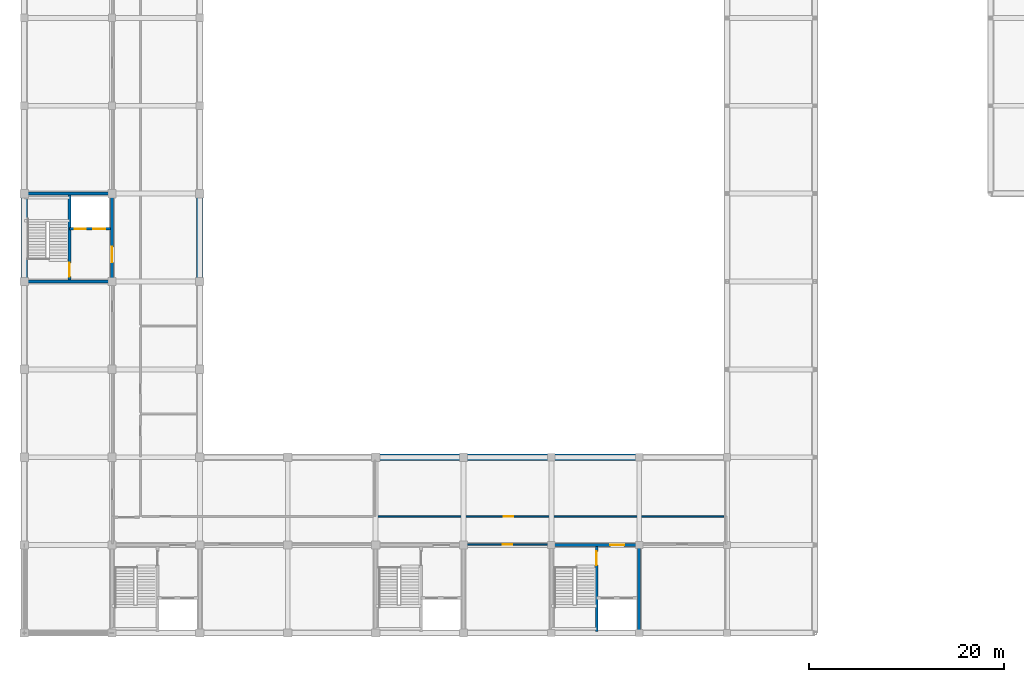
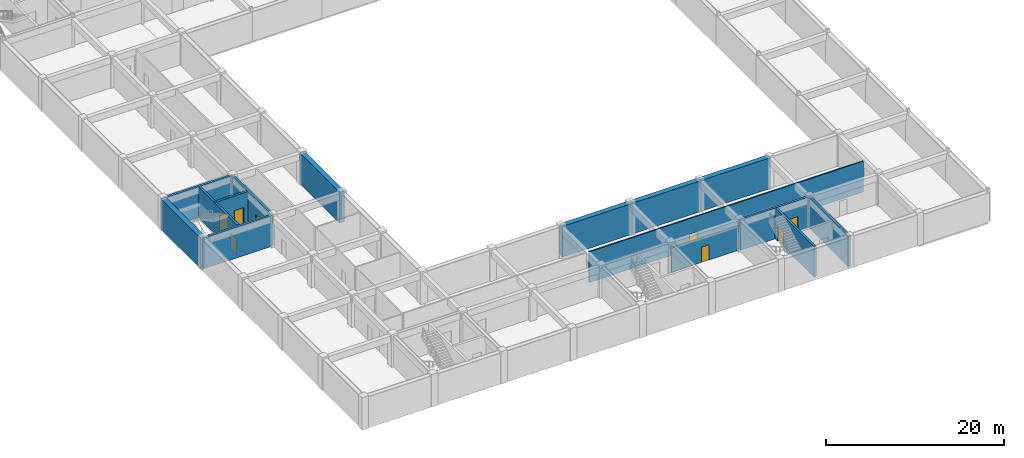
# One storey, part 19 of 35: 15 walls, 8 doors, 8 openings.
"""IFC4 building model written with IfcOpenShell, lengths in metres."""

from ifc_helpers import new_model, si_unit, direction, frame, frame_2d, origin, place, context, subcontext, project, spatial, rectangle, extrude, material, layer, layer_set, type_object, element, fill, save


model = new_model("IFC4")

# Units and contexts
model_context = context("Model", 3, precision=1e-05, world=origin(), true_north=direction((0.0, 1.0)))
body_context = subcontext(model_context, "Body", "Model", "MODEL_VIEW")
ifc_project = project(units=[si_unit("LENGTHUNIT", "METRE"), si_unit("AREAUNIT", "SQUARE_METRE"), si_unit("VOLUMEUNIT", "CUBIC_METRE"), si_unit("PLANEANGLEUNIT", "RADIAN"), si_unit("MASSUNIT", "GRAM", prefix="KILO")], contexts=[model_context])

# Site, building, storey
site_placement = place(None, origin())
site = spatial("IfcSite", under=ifc_project, at=site_placement, CompositionType="ELEMENT")
building_placement = place(site_placement, origin())
building = spatial("IfcBuilding", under=site, at=building_placement, Name="Palais des Congres Ocreval", CompositionType="ELEMENT")
storey_placement = place(building_placement, frame((0.0, 0.0, -4.47998046875)))
storey = spatial("IfcBuildingStorey", under=building, at=storey_placement, Name="B1", CompositionType="ELEMENT", Elevation=-4.47998046875)

# Wall
ifc_material_1 = material(Name="Concrete C40/50", Category="concrete")
ifc_layer_1 = layer(ifc_material_1, 0.300048828125)
ifc_layer_set_1 = layer_set([ifc_layer_1], Name="Core Shear Wall 300 Concrete C40/50")
wall_type_1 = type_object("IfcWallType", Name="Core Shear Wall 300 Concrete C40/50", PredefinedType="SHEAR", material=ifc_layer_set_1)
wall_1_placement = place(storey_placement, frame((0.0, 36.0, 0.0), z_axis=(0.0, 0.0, 1.0), x_axis=(1.0, 0.0, 0.0)))
element("IfcWall", 1, at=wall_1_placement, inside=storey, type_object=wall_type_1, Name="Core Shear Wall SC03 B1 S", PredefinedType="SHEAR", context=body_context, shape_type="SweptSolid", body=[
    extrude(rectangle(XDim=9.0, YDim=0.300048828125, at=frame_2d((4.5, 0.0))), origin(), (0.0, 0.0, 1.0), 4.219970703125),
])

# Wall, opening, door
wall_2_placement = place(storey_placement, frame((9.0, 36.0, 0.0), z_axis=(0.0, 0.0, 1.0), x_axis=(0.0, 1.0, 0.0)))
wall_2 = element("IfcWall", 2, at=wall_2_placement, inside=storey, type_object=wall_type_1, Name="Core Shear Wall SC03 B1 E", PredefinedType="SHEAR", context=body_context, shape_type="SweptSolid", body=[
    extrude(rectangle(XDim=9.0, YDim=0.300048828125, at=frame_2d((4.5, 0.0))), origin(), (0.0, 0.0, 1.0), 4.219970703125),
])
opening_1_placement = place(wall_2_placement, frame((1.949951171875, 0.0, 0.0)))
opening_1 = element("IfcOpeningElement", 3, at=opening_1_placement, cuts=wall_2, Name="Opening D02", PredefinedType="OPENING", context=body_context, shape_type="SweptSolid", body=[
    extrude(rectangle(XDim=1.60009765625, YDim=2.10009765625, at=frame_2d((0.800048828125, 1.050048828125))), frame((0.0, 0.159912109375, 0.0), z_axis=(0.0, -1.0, 0.0), x_axis=(1.0, 0.0, 0.0)), (0.0, 0.0, 1.0), 0.320068359375),
])
ifc_material_2 = material(Name="Painted fire-rated steel", Category="steel")
door_type_1 = type_object("IfcDoorType", Name="Firefighting Lobby Rated Door 1600x2100", OperationType="NOTDEFINED", PredefinedType="DOOR", material=ifc_material_2)
door_1_placement = place(opening_1_placement, origin())
door_1 = element("IfcDoor", 4, at=door_1_placement, inside=storey, type_object=door_type_1, Name="Firefighting Lobby Entrance Door SC03 B1", OperationType="DOUBLE_DOOR_SINGLE_SWING", OverallHeight=2.10009765625, OverallWidth=1.60009765625, PredefinedType="DOOR", context=body_context, shape_type="SweptSolid", body=[
    extrude(rectangle(XDim=1.60009765625, YDim=2.10009765625, at=frame_2d((0.800048828125, 1.050048828125))), frame((0.0, 0.02490234375, 0.0), z_axis=(0.0, -1.0, 0.0), x_axis=(1.0, 0.0, 0.0)), (0.0, 0.0, 1.0), 0.050048828125),
])
fill(opening_1, door_1)

# Wall
wall_3_placement = place(storey_placement, frame((0.0, 45.0, 0.0), z_axis=(0.0, 0.0, 1.0), x_axis=(1.0, 0.0, 0.0)))
element("IfcWall", 5, at=wall_3_placement, inside=storey, type_object=wall_type_1, Name="Core Shear Wall SC03 B1 N", PredefinedType="SHEAR", context=body_context, shape_type="SweptSolid", body=[
    extrude(rectangle(XDim=9.0, YDim=0.300048828125, at=frame_2d((4.5, 0.0))), origin(), (0.0, 0.0, 1.0), 4.219970703125),
])

# Wall, opening, door
wall_4_placement = place(storey_placement, frame((4.64990234375, 36.14990234375, 0.0), z_axis=(0.0, 0.0, 1.0), x_axis=(0.0, 1.0, 0.0)))
wall_4 = element("IfcWall", 6, at=wall_4_placement, inside=storey, type_object=wall_type_1, Name="Core Spine Shear Wall SC03 B1", PredefinedType="SHEAR", context=body_context, shape_type="SweptSolid", body=[
    extrude(rectangle(XDim=8.7001953125, YDim=0.300048828125, at=frame_2d((4.35009765625, 0.0))), origin(), (0.0, 0.0, 1.0), 4.219970703125),
])
opening_2_placement = place(wall_4_placement, frame((0.35009765625, 0.0, 0.0)))
opening_2 = element("IfcOpeningElement", 7, at=opening_2_placement, cuts=wall_4, Name="Opening D03", PredefinedType="OPENING", context=body_context, shape_type="SweptSolid", body=[
    extrude(rectangle(XDim=1.39990234375, YDim=2.02001953125, at=frame_2d((0.699951171875, 1.010009765625))), frame((0.0, 0.159912109375, 0.0), z_axis=(0.0, -1.0, 0.0), x_axis=(1.0, 0.0, 0.0)), (0.0, 0.0, 1.0), 0.320068359375),
])
door_type_2 = type_object("IfcDoorType", Name="Core Lobby Rated Door 1400x2020", OperationType="NOTDEFINED", PredefinedType="DOOR", material=ifc_material_2)
door_2_placement = place(opening_2_placement, origin())
door_2 = element("IfcDoor", 8, at=door_2_placement, inside=storey, type_object=door_type_2, Name="Protected Exit Stair Door ST03 B1", OperationType="SINGLE_SWING_LEFT", OverallHeight=2.02001953125, OverallWidth=1.39990234375, PredefinedType="DOOR", context=body_context, shape_type="SweptSolid", body=[
    extrude(rectangle(XDim=1.39990234375, YDim=2.02001953125, at=frame_2d((0.699951171875, 1.010009765625))), frame((0.0, 0.02490234375, 0.0), z_axis=(0.0, -1.0, 0.0), x_axis=(1.0, 0.0, 0.0)), (0.0, 0.0, 1.0), 0.050048828125),
])
fill(opening_2, door_2)

# Wall, openings, doors
wall_5_placement = place(storey_placement, frame((4.64990234375, 41.39990234375, 0.0), z_axis=(0.0, 0.0, 1.0), x_axis=(1.0, 0.0, 0.0)))
wall_5 = element("IfcWall", 9, at=wall_5_placement, inside=storey, type_object=wall_type_1, Name="Lift Shaft Front Wall SC03 B1", PredefinedType="SHEAR", context=body_context, shape_type="SweptSolid", body=[
    extrude(rectangle(XDim=4.2001953125, YDim=0.300048828125, at=frame_2d((2.10009765625, 0.0))), origin(), (0.0, 0.0, 1.0), 4.219970703125),
])
opening_3_placement = place(wall_5_placement, frame((0.550048828125, 0.0, 0.0)))
opening_3 = element("IfcOpeningElement", 10, at=opening_3_placement, cuts=wall_5, Name="Opening LD01", PredefinedType="OPENING", context=body_context, shape_type="SweptSolid", body=[
    extrude(rectangle(XDim=1.10009765625, YDim=2.10009765625, at=frame_2d((0.550048828125, 1.050048828125))), frame((0.0, 0.159912109375, 0.0), z_axis=(0.0, -1.0, 0.0), x_axis=(1.0, 0.0, 0.0)), (0.0, 0.0, 1.0), 0.320068359375),
])
opening_4_placement = place(wall_5_placement, frame((2.449951171875, 0.0, 0.0)))
opening_4 = element("IfcOpeningElement", 11, at=opening_4_placement, cuts=wall_5, Name="Opening LD02", PredefinedType="OPENING", context=body_context, shape_type="SweptSolid", body=[
    extrude(rectangle(XDim=1.199951171875, YDim=2.199951171875, at=frame_2d((0.60009765625, 1.10009765625))), frame((0.0, 0.159912109375, 0.0), z_axis=(0.0, -1.0, 0.0), x_axis=(1.0, 0.0, 0.0)), (0.0, 0.0, 1.0), 0.320068359375),
])
ifc_material_3 = material(Name="Stainless steel", Category="steel")
door_type_3 = type_object("IfcDoorType", Name="Firefighting Lift Sliding Landing Door 1100x2100", OperationType="NOTDEFINED", PredefinedType="DOOR", material=ifc_material_3)
door_3_placement = place(opening_3_placement, origin())
door_3 = element("IfcDoor", 12, at=door_3_placement, inside=storey, type_object=door_type_3, Name="Lift Landing Sliding Door FF3 B1", OperationType="DOUBLE_DOOR_SLIDING", OverallHeight=2.10009765625, OverallWidth=1.10009765625, PredefinedType="DOOR", context=body_context, shape_type="SweptSolid", body=[
    extrude(rectangle(XDim=1.10009765625, YDim=2.10009765625, at=frame_2d((0.550048828125, 1.050048828125))), frame((0.0, 0.02490234375, 0.0), z_axis=(0.0, -1.0, 0.0), x_axis=(1.0, 0.0, 0.0)), (0.0, 0.0, 1.0), 0.050048828125),
])
fill(opening_3, door_3)
ifc_material_4 = material(Name="Anodized bronze steel", Category="steel")
door_type_4 = type_object("IfcDoorType", Name="Passenger and Service Lift Sliding Door 1200x2200", OperationType="NOTDEFINED", PredefinedType="DOOR", material=ifc_material_4)
door_4_placement = place(opening_4_placement, origin())
door_4 = element("IfcDoor", 13, at=door_4_placement, inside=storey, type_object=door_type_4, Name="Lift Landing Sliding Door PL3 B1", OperationType="DOUBLE_DOOR_SLIDING", OverallHeight=2.199951171875, OverallWidth=1.199951171875, PredefinedType="DOOR", context=body_context, shape_type="SweptSolid", body=[
    extrude(rectangle(XDim=1.199951171875, YDim=2.199951171875, at=frame_2d((0.60009765625, 1.10009765625))), frame((0.0, 0.02490234375, 0.0), z_axis=(0.0, -1.0, 0.0), x_axis=(1.0, 0.0, 0.0)), (0.0, 0.0, 1.0), 0.050048828125),
])
fill(opening_4, door_4)

# Wall
wall_6_placement = place(storey_placement, frame((63.0, 0.0, 0.0), z_axis=(0.0, 0.0, 1.0), x_axis=(0.0, 1.0, 0.0)))
element("IfcWall", 14, at=wall_6_placement, inside=storey, type_object=wall_type_1, Name="Core Shear Wall SC04 B1 E", PredefinedType="SHEAR", context=body_context, shape_type="SweptSolid", body=[
    extrude(rectangle(XDim=9.0, YDim=0.300048828125, at=frame_2d((4.5, 0.0))), origin(), (0.0, 0.0, 1.0), 4.219970703125),
])

# Wall, opening, door
wall_7_placement = place(storey_placement, frame((54.0, 9.0, 0.0), z_axis=(0.0, 0.0, 1.0), x_axis=(1.0, 0.0, 0.0)))
wall_7 = element("IfcWall", 15, at=wall_7_placement, inside=storey, type_object=wall_type_1, Name="Core Shear Wall SC04 B1 N", PredefinedType="SHEAR", context=body_context, shape_type="SweptSolid", body=[
    extrude(rectangle(XDim=9.0, YDim=0.300048828125, at=frame_2d((4.5, 0.0))), origin(), (0.0, 0.0, 1.0), 4.219970703125),
])
opening_5_placement = place(wall_7_placement, frame((6.050048828125, 0.0, 0.0)))
opening_5 = element("IfcOpeningElement", 16, at=opening_5_placement, cuts=wall_7, Name="Opening D03", PredefinedType="OPENING", context=body_context, shape_type="SweptSolid", body=[
    extrude(rectangle(XDim=1.39990234375, YDim=2.02001953125, at=frame_2d((0.699951171875, 1.010009765625))), frame((0.0, 0.159912109375, 0.0), z_axis=(0.0, -1.0, 0.0), x_axis=(1.0, 0.0, 0.0)), (0.0, 0.0, 1.0), 0.320068359375),
])
door_5_placement = place(opening_5_placement, origin())
door_5 = element("IfcDoor", 17, at=door_5_placement, inside=storey, type_object=door_type_2, Name="Lobby Entrance Door SC04 B1", OperationType="DOUBLE_DOOR_SINGLE_SWING", OverallHeight=2.02001953125, OverallWidth=1.39990234375, PredefinedType="DOOR", context=body_context, shape_type="SweptSolid", body=[
    extrude(rectangle(XDim=1.39990234375, YDim=2.02001953125, at=frame_2d((0.699951171875, 1.010009765625))), frame((0.0, 0.02490234375, 0.0), z_axis=(0.0, -1.0, 0.0), x_axis=(1.0, 0.0, 0.0)), (0.0, 0.0, 1.0), 0.050048828125),
])
fill(opening_5, door_5)

wall_8_placement = place(storey_placement, frame((58.64990234375, 0.14990234375, 0.0), z_axis=(0.0, 0.0, 1.0), x_axis=(0.0, 1.0, 0.0)))
wall_8 = element("IfcWall", 18, at=wall_8_placement, inside=storey, type_object=wall_type_1, Name="Core Spine Shear Wall SC04 B1", PredefinedType="SHEAR", context=body_context, shape_type="SweptSolid", body=[
    extrude(rectangle(XDim=8.7001953125, YDim=0.300048828125, at=frame_2d((4.35009765625, 0.0))), origin(), (0.0, 0.0, 1.0), 4.219970703125),
])
opening_6_placement = place(wall_8_placement, frame((6.800048828125, 0.0, 0.0)))
opening_6 = element("IfcOpeningElement", 19, at=opening_6_placement, cuts=wall_8, Name="Opening D03", PredefinedType="OPENING", context=body_context, shape_type="SweptSolid", body=[
    extrude(rectangle(XDim=1.39990234375, YDim=2.02001953125, at=frame_2d((0.699951171875, 1.010009765625))), frame((0.0, 0.159912109375, 0.0), z_axis=(0.0, -1.0, 0.0), x_axis=(1.0, 0.0, 0.0)), (0.0, 0.0, 1.0), 0.320068359375),
])
door_6_placement = place(opening_6_placement, origin())
door_6 = element("IfcDoor", 20, at=door_6_placement, inside=storey, type_object=door_type_2, Name="Protected Exit Stair Door ST04 B1", OperationType="SINGLE_SWING_RIGHT", OverallHeight=2.02001953125, OverallWidth=1.39990234375, PredefinedType="DOOR", context=body_context, shape_type="SweptSolid", body=[
    extrude(rectangle(XDim=1.39990234375, YDim=2.02001953125, at=frame_2d((0.699951171875, 1.010009765625))), frame((0.0, 0.02490234375, 0.0), z_axis=(0.0, -1.0, 0.0), x_axis=(1.0, 0.0, 0.0)), (0.0, 0.0, 1.0), 0.050048828125),
])
fill(opening_6, door_6)

ifc_material_5 = material(Name="Gypsum acoustic partition")
ifc_layer_2 = layer(ifc_material_5, 0.159912109375)
ifc_layer_set_2 = layer_set([ifc_layer_2], Name="Corridor Fire Partition 160 Gypsum (Gypsum acoustic partition)")
wall_type_2 = type_object("IfcWallType", Name="Corridor Fire Partition 160 Gypsum", PredefinedType="PARTITIONING", material=ifc_layer_set_2)
wall_9_placement = place(storey_placement, frame((45.155029296875, 9.06494140625, 0.0), z_axis=(0.0, 0.0, 1.0), x_axis=(1.0, 0.0, 0.0)))
wall_9 = element("IfcWall", 21, at=wall_9_placement, inside=storey, type_object=wall_type_2, Name="Interior Partition IW03 B1", PredefinedType="PARTITIONING", context=body_context, shape_type="SweptSolid", body=[
    extrude(rectangle(XDim=8.68994140625, YDim=0.159912109375, at=frame_2d((4.344970703125, 0.0))), origin(), (0.0, 0.0, 1.0), 3.320068359375),
])
opening_7_placement = place(wall_9_placement, frame((3.844970703125, 0.0, 0.0)))
opening_7 = element("IfcOpeningElement", 22, at=opening_7_placement, cuts=wall_9, Name="Opening D10", PredefinedType="OPENING", context=body_context, shape_type="SweptSolid", body=[
    extrude(rectangle(XDim=1.0, YDim=2.10009765625, at=frame_2d((0.5, 1.050048828125))), frame((0.0, 0.08984375, 0.0), z_axis=(0.0, -1.0, 0.0), x_axis=(1.0, 0.0, 0.0)), (0.0, 0.0, 1.0), 0.179931640625),
])
ifc_material_6 = material(Name="Painted steel", Category="steel")
door_type_5 = type_object("IfcDoorType", Name="Service and Pantry Door 1000x2100", OperationType="NOTDEFINED", PredefinedType="DOOR", material=ifc_material_6)
door_7_placement = place(opening_7_placement, origin())
door_7 = element("IfcDoor", 23, at=door_7_placement, inside=storey, type_object=door_type_5, Name="Interior Door D10 B1", OperationType="SINGLE_SWING_RIGHT", OverallHeight=2.10009765625, OverallWidth=1.0, PredefinedType="DOOR", context=body_context, shape_type="SweptSolid", body=[
    extrude(rectangle(XDim=1.0, YDim=2.10009765625, at=frame_2d((0.5, 1.050048828125))), frame((0.0, 0.02490234375, 0.0), z_axis=(0.0, -1.0, 0.0), x_axis=(1.0, 0.0, 0.0)), (0.0, 0.0, 1.0), 0.050048828125),
])
fill(opening_7, door_7)

wall_10_placement = place(storey_placement, frame((36.090087890625, 11.93505859375, 0.0), z_axis=(0.0, 0.0, 1.0), x_axis=(1.0, 0.0, 0.0)))
wall_10 = element("IfcWall", 24, at=wall_10_placement, inside=storey, type_object=wall_type_2, Name="Interior Partition IW03 B1", PredefinedType="PARTITIONING", context=body_context, shape_type="SweptSolid", body=[
    extrude(rectangle(XDim=35.579833984375, YDim=0.159912109375, at=frame_2d((17.7900390625, 0.0))), origin(), (0.0, 0.0, 1.0), 4.219970703125),
])
opening_8_placement = place(wall_10_placement, frame((13.0205078125, 0.0, 0.0)))
opening_8 = element("IfcOpeningElement", 25, at=opening_8_placement, cuts=wall_10, Name="Opening D10", PredefinedType="OPENING", context=body_context, shape_type="SweptSolid", body=[
    extrude(rectangle(XDim=1.0, YDim=2.10009765625, at=frame_2d((0.5, 1.050048828125))), frame((0.0, 0.08984375, 0.0), z_axis=(0.0, -1.0, 0.0), x_axis=(1.0, 0.0, 0.0)), (0.0, 0.0, 1.0), 0.179931640625),
])
door_8_placement = place(opening_8_placement, origin())
door_8 = element("IfcDoor", 26, at=door_8_placement, inside=storey, type_object=door_type_5, Name="Interior Door D10 B1", OperationType="SINGLE_SWING_LEFT", OverallHeight=2.10009765625, OverallWidth=1.0, PredefinedType="DOOR", context=body_context, shape_type="SweptSolid", body=[
    extrude(rectangle(XDim=1.0, YDim=2.10009765625, at=frame_2d((0.5, 1.050048828125))), frame((0.0, 0.02490234375, 0.0), z_axis=(0.0, -1.0, 0.0), x_axis=(1.0, 0.0, 0.0)), (0.0, 0.0, 1.0), 0.050048828125),
])
fill(opening_8, door_8)

# Walls
ifc_material_7 = material(Name="Concrete C35/45", Category="concrete")
ifc_layer_3 = layer(ifc_material_7, 0.64990234375)
ifc_layer_set_3 = layer_set([ifc_layer_3], Name="Upper Retaining Wall 650 Concrete C35/45")
wall_type_3 = type_object("IfcWallType", Name="Upper Retaining Wall 650 Concrete C35/45", PredefinedType="USERDEFINED", material=ifc_layer_set_3)
for number, where, z_axis, x_axis, name in (
    (27, (0.0, 36.0, 0.0), (0.0, 0.0, 1.0), (0.0, 1.0, 0.0), "Basement Diaphragm Wall RW02 B1"),
    (28, (18.0, 45.0, 0.0), (0.0, 0.0, 1.0), (0.0, -1.0, 0.0), "Basement Diaphragm Wall RW02 B1"),
    (29, (36.0, 18.0, 0.0), (0.0, 0.0, 1.0), (1.0, 0.0, 0.0), "Basement Diaphragm Wall RW02 B1"),
    (30, (45.0, 18.0, 0.0), (0.0, 0.0, 1.0), (1.0, 0.0, 0.0), "Basement Diaphragm Wall RW02 B1"),
    (31, (54.0, 18.0, 0.0), (0.0, 0.0, 1.0), (1.0, 0.0, 0.0), "Basement Diaphragm Wall RW02 B1"),
):
    element("IfcWall", number, at=place(storey_placement, frame(where, z_axis=z_axis, x_axis=x_axis)), inside=storey, type_object=wall_type_3, Name=name, ObjectType="RETAININGWALL", PredefinedType="USERDEFINED", context=body_context, shape_type="SweptSolid", body=[
        extrude(rectangle(XDim=9.0, YDim=0.64990234375, at=frame_2d((4.5, 0.0))), origin(), (0.0, 0.0, 1.0), 4.219970703125),
    ])

save(model, "model.ifc")
